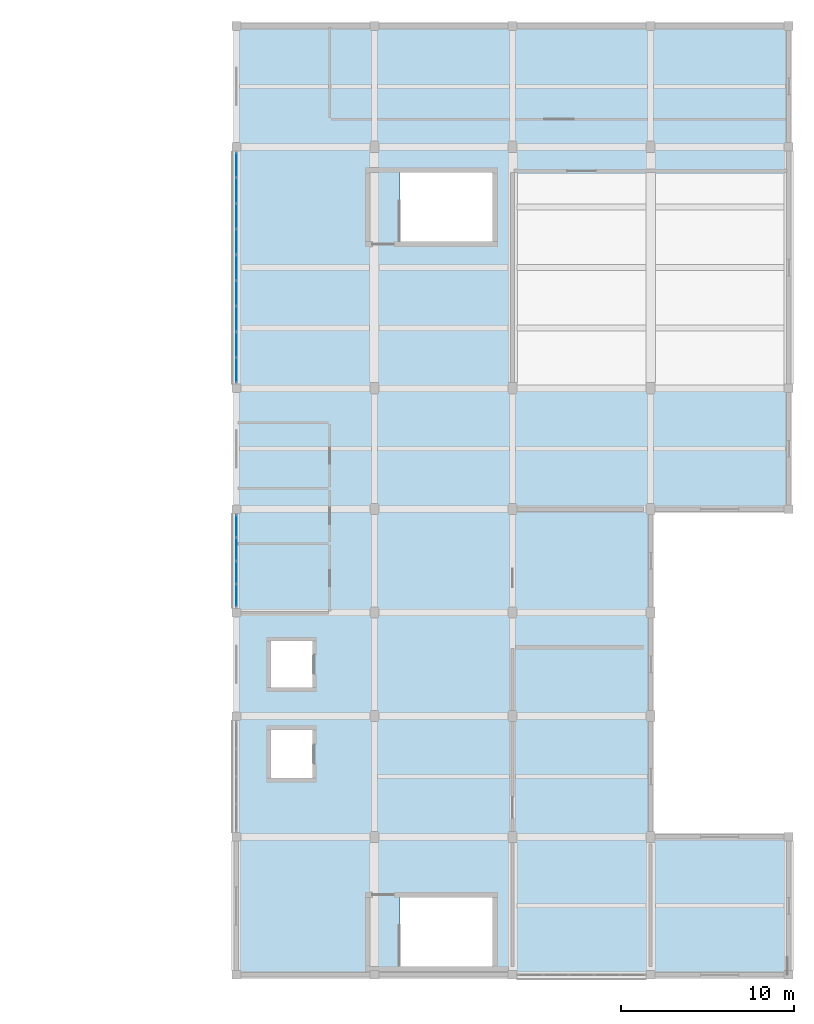
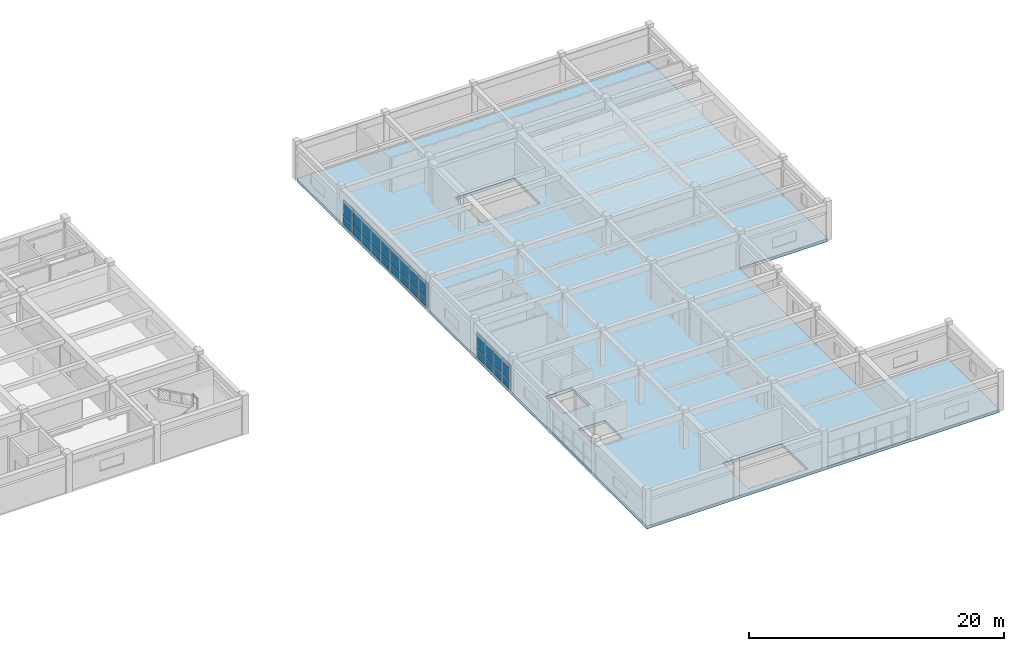
# One storey, part 9 of 17: 26 plates, 1 slab, 2 elements without a shape of their own.
"""IFC4 building model written with IfcOpenShell, lengths in metres."""

from ifc_helpers import new_model, si_unit, direction, frame, origin, origin_2d, place, context, subcontext, project, spatial, polyline, rectangle, outline, extrude, material, layer, layer_set, type_object, element, aggregate, save


model = new_model("IFC4")

# Units and contexts
model_context = context("Model", 3, precision=1e-05, world=origin(), true_north=direction((0.0, 1.0)))
body_context = subcontext(model_context, "Body", "Model", "MODEL_VIEW")
ifc_project = project(units=[si_unit("LENGTHUNIT", "METRE"), si_unit("AREAUNIT", "SQUARE_METRE"), si_unit("VOLUMEUNIT", "CUBIC_METRE"), si_unit("PLANEANGLEUNIT", "RADIAN"), si_unit("MASSUNIT", "GRAM", prefix="KILO")], contexts=[model_context])

# Site, building, storey
site_placement = place(None, origin())
site = spatial("IfcSite", under=ifc_project, at=site_placement, CompositionType="ELEMENT")
building_placement = place(site_placement, origin())
building = spatial("IfcBuilding", under=site, at=building_placement, Name="Naurynzar Civic Courthouse", CompositionType="ELEMENT")
storey_placement = place(building_placement, frame((0.0, 0.0, 29.550048828125)))
storey = spatial("IfcBuildingStorey", under=building, at=storey_placement, Name="L08", CompositionType="ELEMENT", Elevation=29.550048828125)

# Curtain wall, plates
ifc_material_1 = material(Name="Aluminium 6063-T6", Category="aluminium")
ifc_layer_1 = layer(ifc_material_1, 0.179931640625)
ifc_layer_set_1 = layer_set([ifc_layer_1], Name="CW-UNIT-1500")
curtain_wall_type = type_object("IfcCurtainWallType", Name="CW-UNIT-1500", PredefinedType="NOTDEFINED", material=ifc_layer_set_1)
curtain_wall_1_placement = place(storey_placement, origin())
curtain_wall_1 = element("IfcCurtainWall", 1, at=curtain_wall_1_placement, inside=storey, type_object=curtain_wall_type, Name="V5 unitised curtain wall 118 L08", PredefinedType="NOTDEFINED")
ifc_material_2 = material(Name="Tempered Laminated Low-E Glass", Category="glass")
ifc_layer_2 = layer(ifc_material_2, 0.031982421875)
ifc_layer_set_2 = layer_set([ifc_layer_2], Name="CWP-IGU-32")
plate_type = type_object("IfcPlateType", Name="CWP-IGU-32", PredefinedType="CURTAIN_PANEL", material=ifc_layer_set_2)
plate_1_placement = place(storey_placement, frame((130.0, 38.989990234375, 0.06005859375), z_axis=(0.0, 0.0, 1.0), x_axis=(0.0, 1.0, 0.0)))
plate_1 = element("IfcPlate", 2, at=plate_1_placement, type_object=plate_type, Name="CW-01 panel 1.1", PredefinedType="CURTAIN_PANEL", context=body_context, shape_type="SweptSolid", body=[
    extrude(rectangle(XDim=1.260009765625, YDim=0.031982421875, at=origin_2d()), origin(), (0.0, 0.0, 1.0), 0.760009765625),
])
plate_2_placement = place(storey_placement, frame((130.0, 38.989990234375, 0.8798828125), z_axis=(0.0, 0.0, 1.0), x_axis=(0.0, 1.0, 0.0)))
plate_2 = element("IfcPlate", 3, at=plate_2_placement, type_object=plate_type, Name="CW-01 panel 1.2", PredefinedType="CURTAIN_PANEL", context=body_context, shape_type="SweptSolid", body=[
    extrude(rectangle(XDim=1.260009765625, YDim=0.031982421875, at=origin_2d()), origin(), (0.0, 0.0, 1.0), 1.570068359375),
])
plate_3_placement = place(storey_placement, frame((130.0, 40.324951171875, 0.06005859375), z_axis=(0.0, 0.0, 1.0), x_axis=(0.0, 1.0, 0.0)))
plate_3 = element("IfcPlate", 4, at=plate_3_placement, type_object=plate_type, Name="CW-01 panel 2.1", PredefinedType="CURTAIN_PANEL", context=body_context, shape_type="SweptSolid", body=[
    extrude(rectangle(XDim=1.2900390625, YDim=0.031982421875, at=origin_2d()), origin(), (0.0, 0.0, 1.0), 0.760009765625),
])
plate_4_placement = place(storey_placement, frame((130.0, 40.324951171875, 0.8798828125), z_axis=(0.0, 0.0, 1.0), x_axis=(0.0, 1.0, 0.0)))
plate_4 = element("IfcPlate", 5, at=plate_4_placement, type_object=plate_type, Name="CW-01 panel 2.2", PredefinedType="CURTAIN_PANEL", context=body_context, shape_type="SweptSolid", body=[
    extrude(rectangle(XDim=1.2900390625, YDim=0.031982421875, at=origin_2d()), origin(), (0.0, 0.0, 1.0), 1.570068359375),
])
plate_5_placement = place(storey_placement, frame((130.0, 41.675048828125, 0.06005859375), z_axis=(0.0, 0.0, 1.0), x_axis=(0.0, 1.0, 0.0)))
plate_5 = element("IfcPlate", 6, at=plate_5_placement, type_object=plate_type, Name="CW-01 panel 3.1", PredefinedType="CURTAIN_PANEL", context=body_context, shape_type="SweptSolid", body=[
    extrude(rectangle(XDim=1.2900390625, YDim=0.031982421875, at=origin_2d()), origin(), (0.0, 0.0, 1.0), 0.760009765625),
])
plate_6_placement = place(storey_placement, frame((130.0, 41.675048828125, 0.8798828125), z_axis=(0.0, 0.0, 1.0), x_axis=(0.0, 1.0, 0.0)))
plate_6 = element("IfcPlate", 7, at=plate_6_placement, type_object=plate_type, Name="CW-01 panel 3.2", PredefinedType="CURTAIN_PANEL", context=body_context, shape_type="SweptSolid", body=[
    extrude(rectangle(XDim=1.2900390625, YDim=0.031982421875, at=origin_2d()), origin(), (0.0, 0.0, 1.0), 1.570068359375),
])
plate_7_placement = place(storey_placement, frame((130.0, 43.010009765625, 0.06005859375), z_axis=(0.0, 0.0, 1.0), x_axis=(0.0, 1.0, 0.0)))
plate_7 = element("IfcPlate", 8, at=plate_7_placement, type_object=plate_type, Name="CW-01 panel 4.1", PredefinedType="CURTAIN_PANEL", context=body_context, shape_type="SweptSolid", body=[
    extrude(rectangle(XDim=1.260009765625, YDim=0.031982421875, at=origin_2d()), origin(), (0.0, 0.0, 1.0), 0.760009765625),
])
plate_8_placement = place(storey_placement, frame((130.0, 43.010009765625, 0.8798828125), z_axis=(0.0, 0.0, 1.0), x_axis=(0.0, 1.0, 0.0)))
plate_8 = element("IfcPlate", 9, at=plate_8_placement, type_object=plate_type, Name="CW-01 panel 4.2", PredefinedType="CURTAIN_PANEL", context=body_context, shape_type="SweptSolid", body=[
    extrude(rectangle(XDim=1.260009765625, YDim=0.031982421875, at=origin_2d()), origin(), (0.0, 0.0, 1.0), 1.570068359375),
])
aggregate(curtain_wall_1, [plate_1, plate_2, plate_3, plate_4, plate_5, plate_6, plate_7, plate_8])

curtain_wall_2_placement = place(storey_placement, origin())
curtain_wall_2 = element("IfcCurtainWall", 10, at=curtain_wall_2_placement, inside=storey, type_object=curtain_wall_type, Name="V5 unitised curtain wall 119 L08", PredefinedType="NOTDEFINED")
plate_9_placement = place(storey_placement, frame((130.0, 52.059326171875, 0.06005859375), z_axis=(0.0, 0.0, 1.0), x_axis=(0.0, 1.0, 0.0)))
plate_9 = element("IfcPlate", 11, at=plate_9_placement, type_object=plate_type, Name="CW-01 panel 1.1", PredefinedType="CURTAIN_PANEL", context=body_context, shape_type="SweptSolid", body=[
    extrude(rectangle(XDim=1.39892578125, YDim=0.031982421875, at=origin_2d()), origin(), (0.0, 0.0, 1.0), 0.760009765625),
])
plate_10_placement = place(storey_placement, frame((130.0, 52.059326171875, 0.8798828125), z_axis=(0.0, 0.0, 1.0), x_axis=(0.0, 1.0, 0.0)))
plate_10 = element("IfcPlate", 12, at=plate_10_placement, type_object=plate_type, Name="CW-01 panel 1.2", PredefinedType="CURTAIN_PANEL", context=body_context, shape_type="SweptSolid", body=[
    extrude(rectangle(XDim=1.39892578125, YDim=0.031982421875, at=origin_2d()), origin(), (0.0, 0.0, 1.0), 1.570068359375),
])
plate_11_placement = place(storey_placement, frame((130.0, 53.533447265625, 0.06005859375), z_axis=(0.0, 0.0, 1.0), x_axis=(0.0, 1.0, 0.0)))
plate_11 = element("IfcPlate", 13, at=plate_11_placement, type_object=plate_type, Name="CW-01 panel 2.1", PredefinedType="CURTAIN_PANEL", context=body_context, shape_type="SweptSolid", body=[
    extrude(rectangle(XDim=1.428955078125, YDim=0.031982421875, at=origin_2d()), origin(), (0.0, 0.0, 1.0), 0.760009765625),
])
plate_12_placement = place(storey_placement, frame((130.0, 53.533447265625, 0.8798828125), z_axis=(0.0, 0.0, 1.0), x_axis=(0.0, 1.0, 0.0)))
plate_12 = element("IfcPlate", 14, at=plate_12_placement, type_object=plate_type, Name="CW-01 panel 2.2", PredefinedType="CURTAIN_PANEL", context=body_context, shape_type="SweptSolid", body=[
    extrude(rectangle(XDim=1.428955078125, YDim=0.031982421875, at=origin_2d()), origin(), (0.0, 0.0, 1.0), 1.570068359375),
])
plate_13_placement = place(storey_placement, frame((130.0, 55.022216796875, 0.06005859375), z_axis=(0.0, 0.0, 1.0), x_axis=(0.0, 1.0, 0.0)))
plate_13 = element("IfcPlate", 15, at=plate_13_placement, type_object=plate_type, Name="CW-01 panel 3.1", PredefinedType="CURTAIN_PANEL", context=body_context, shape_type="SweptSolid", body=[
    extrude(rectangle(XDim=1.428955078125, YDim=0.031982421875, at=origin_2d()), origin(), (0.0, 0.0, 1.0), 0.760009765625),
])
plate_14_placement = place(storey_placement, frame((130.0, 55.022216796875, 0.8798828125), z_axis=(0.0, 0.0, 1.0), x_axis=(0.0, 1.0, 0.0)))
plate_14 = element("IfcPlate", 16, at=plate_14_placement, type_object=plate_type, Name="CW-01 panel 3.2", PredefinedType="CURTAIN_PANEL", context=body_context, shape_type="SweptSolid", body=[
    extrude(rectangle(XDim=1.428955078125, YDim=0.031982421875, at=origin_2d()), origin(), (0.0, 0.0, 1.0), 1.570068359375),
])
plate_15_placement = place(storey_placement, frame((130.0, 56.51123046875, 0.06005859375), z_axis=(0.0, 0.0, 1.0), x_axis=(0.0, 1.0, 0.0)))
plate_15 = element("IfcPlate", 17, at=plate_15_placement, type_object=plate_type, Name="CW-01 panel 4.1", PredefinedType="CURTAIN_PANEL", context=body_context, shape_type="SweptSolid", body=[
    extrude(rectangle(XDim=1.428955078125, YDim=0.031982421875, at=origin_2d()), origin(), (0.0, 0.0, 1.0), 0.760009765625),
])
plate_16_placement = place(storey_placement, frame((130.0, 56.51123046875, 0.8798828125), z_axis=(0.0, 0.0, 1.0), x_axis=(0.0, 1.0, 0.0)))
plate_16 = element("IfcPlate", 18, at=plate_16_placement, type_object=plate_type, Name="CW-01 panel 4.2", PredefinedType="CURTAIN_PANEL", context=body_context, shape_type="SweptSolid", body=[
    extrude(rectangle(XDim=1.428955078125, YDim=0.031982421875, at=origin_2d()), origin(), (0.0, 0.0, 1.0), 1.570068359375),
])
plate_17_placement = place(storey_placement, frame((130.0, 58.0, 0.06005859375), z_axis=(0.0, 0.0, 1.0), x_axis=(0.0, 1.0, 0.0)))
plate_17 = element("IfcPlate", 19, at=plate_17_placement, type_object=plate_type, Name="CW-01 panel 5.1", PredefinedType="CURTAIN_PANEL", context=body_context, shape_type="SweptSolid", body=[
    extrude(rectangle(XDim=1.428955078125, YDim=0.031982421875, at=origin_2d()), origin(), (0.0, 0.0, 1.0), 0.760009765625),
])
plate_18_placement = place(storey_placement, frame((130.0, 58.0, 0.8798828125), z_axis=(0.0, 0.0, 1.0), x_axis=(0.0, 1.0, 0.0)))
plate_18 = element("IfcPlate", 20, at=plate_18_placement, type_object=plate_type, Name="CW-01 panel 5.2", PredefinedType="CURTAIN_PANEL", context=body_context, shape_type="SweptSolid", body=[
    extrude(rectangle(XDim=1.428955078125, YDim=0.031982421875, at=origin_2d()), origin(), (0.0, 0.0, 1.0), 1.570068359375),
])
plate_19_placement = place(storey_placement, frame((130.0, 59.48876953125, 0.06005859375), z_axis=(0.0, 0.0, 1.0), x_axis=(0.0, 1.0, 0.0)))
plate_19 = element("IfcPlate", 21, at=plate_19_placement, type_object=plate_type, Name="CW-01 panel 6.1", PredefinedType="CURTAIN_PANEL", context=body_context, shape_type="SweptSolid", body=[
    extrude(rectangle(XDim=1.428955078125, YDim=0.031982421875, at=origin_2d()), origin(), (0.0, 0.0, 1.0), 0.760009765625),
])
plate_20_placement = place(storey_placement, frame((130.0, 59.48876953125, 0.8798828125), z_axis=(0.0, 0.0, 1.0), x_axis=(0.0, 1.0, 0.0)))
plate_20 = element("IfcPlate", 22, at=plate_20_placement, type_object=plate_type, Name="CW-01 panel 6.2", PredefinedType="CURTAIN_PANEL", context=body_context, shape_type="SweptSolid", body=[
    extrude(rectangle(XDim=1.428955078125, YDim=0.031982421875, at=origin_2d()), origin(), (0.0, 0.0, 1.0), 1.570068359375),
])
plate_21_placement = place(storey_placement, frame((130.0, 60.977783203125, 0.06005859375), z_axis=(0.0, 0.0, 1.0), x_axis=(0.0, 1.0, 0.0)))
plate_21 = element("IfcPlate", 23, at=plate_21_placement, type_object=plate_type, Name="CW-01 panel 7.1", PredefinedType="CURTAIN_PANEL", context=body_context, shape_type="SweptSolid", body=[
    extrude(rectangle(XDim=1.428955078125, YDim=0.031982421875, at=origin_2d()), origin(), (0.0, 0.0, 1.0), 0.760009765625),
])
plate_22_placement = place(storey_placement, frame((130.0, 60.977783203125, 0.8798828125), z_axis=(0.0, 0.0, 1.0), x_axis=(0.0, 1.0, 0.0)))
plate_22 = element("IfcPlate", 24, at=plate_22_placement, type_object=plate_type, Name="CW-01 panel 7.2", PredefinedType="CURTAIN_PANEL", context=body_context, shape_type="SweptSolid", body=[
    extrude(rectangle(XDim=1.428955078125, YDim=0.031982421875, at=origin_2d()), origin(), (0.0, 0.0, 1.0), 1.570068359375),
])
plate_23_placement = place(storey_placement, frame((130.0, 62.466552734375, 0.06005859375), z_axis=(0.0, 0.0, 1.0), x_axis=(0.0, 1.0, 0.0)))
plate_23 = element("IfcPlate", 25, at=plate_23_placement, type_object=plate_type, Name="CW-01 panel 8.1", PredefinedType="CURTAIN_PANEL", context=body_context, shape_type="SweptSolid", body=[
    extrude(rectangle(XDim=1.428955078125, YDim=0.031982421875, at=origin_2d()), origin(), (0.0, 0.0, 1.0), 0.760009765625),
])
plate_24_placement = place(storey_placement, frame((130.0, 62.466552734375, 0.8798828125), z_axis=(0.0, 0.0, 1.0), x_axis=(0.0, 1.0, 0.0)))
plate_24 = element("IfcPlate", 26, at=plate_24_placement, type_object=plate_type, Name="CW-01 panel 8.2", PredefinedType="CURTAIN_PANEL", context=body_context, shape_type="SweptSolid", body=[
    extrude(rectangle(XDim=1.428955078125, YDim=0.031982421875, at=origin_2d()), origin(), (0.0, 0.0, 1.0), 1.570068359375),
])
plate_25_placement = place(storey_placement, frame((130.0, 63.940673828125, 0.06005859375), z_axis=(0.0, 0.0, 1.0), x_axis=(0.0, 1.0, 0.0)))
plate_25 = element("IfcPlate", 27, at=plate_25_placement, type_object=plate_type, Name="CW-01 panel 9.1", PredefinedType="CURTAIN_PANEL", context=body_context, shape_type="SweptSolid", body=[
    extrude(rectangle(XDim=1.39892578125, YDim=0.031982421875, at=origin_2d()), origin(), (0.0, 0.0, 1.0), 0.760009765625),
])
plate_26_placement = place(storey_placement, frame((130.0, 63.940673828125, 0.8798828125), z_axis=(0.0, 0.0, 1.0), x_axis=(0.0, 1.0, 0.0)))
plate_26 = element("IfcPlate", 28, at=plate_26_placement, type_object=plate_type, Name="CW-01 panel 9.2", PredefinedType="CURTAIN_PANEL", context=body_context, shape_type="SweptSolid", body=[
    extrude(rectangle(XDim=1.39892578125, YDim=0.031982421875, at=origin_2d()), origin(), (0.0, 0.0, 1.0), 1.570068359375),
])
aggregate(curtain_wall_2, [plate_9, plate_10, plate_11, plate_12, plate_13, plate_14, plate_15, plate_16, plate_17, plate_18, plate_19, plate_20, plate_21, plate_22, plate_23, plate_24, plate_25, plate_26])

# Slab
ifc_material_3 = material(Name="Concrete C35/45", Category="concrete")
ifc_layer_3 = layer(ifc_material_3, 0.280029296875)
ifc_layer_set_3 = layer_set([ifc_layer_3], Name="SLB-PT-280")
slab_type = type_object("IfcSlabType", Name="SLB-PT-280", PredefinedType="FLOOR", material=ifc_layer_set_3)
slab_placement = place(storey_placement, frame((0.0, 0.0, -0.280029296875)))
element("IfcSlab", 29, at=slab_placement, inside=storey, type_object=slab_type, Name="V5 floor slab L08", PredefinedType="FLOOR", context=body_context, shape_type="SweptSolid", body=[
    extrude(outline(polyline([(162.0, 17.0), (130.0, 17.0), (130.0, 72.0), (162.0, 72.0), (162.0, 44.0), (154.0, 44.0), (154.0, 25.0), (162.0, 25.0), (162.0, 17.0)]), holes=[polyline([(139.47998046875, 17.5), (144.85009765625, 17.5), (144.85009765625, 21.5), (139.47998046875, 21.5), (139.47998046875, 17.5)]), polyline([(139.47998046875, 59.5), (144.85009765625, 59.5), (144.85009765625, 63.5), (139.47998046875, 63.5), (139.47998046875, 59.5)]), polyline([(132.0, 33.64990234375), (134.39990234375, 33.64990234375), (134.39990234375, 36.35009765625), (132.0, 36.35009765625), (132.0, 33.64990234375)]), polyline([(132.0, 28.39990234375), (134.39990234375, 28.39990234375), (134.39990234375, 31.199951171875), (132.0, 31.199951171875), (132.0, 28.39990234375)])]), origin(), (0.0, 0.0, 1.0), 0.280029296875),
])

save(model, "model.ifc")
